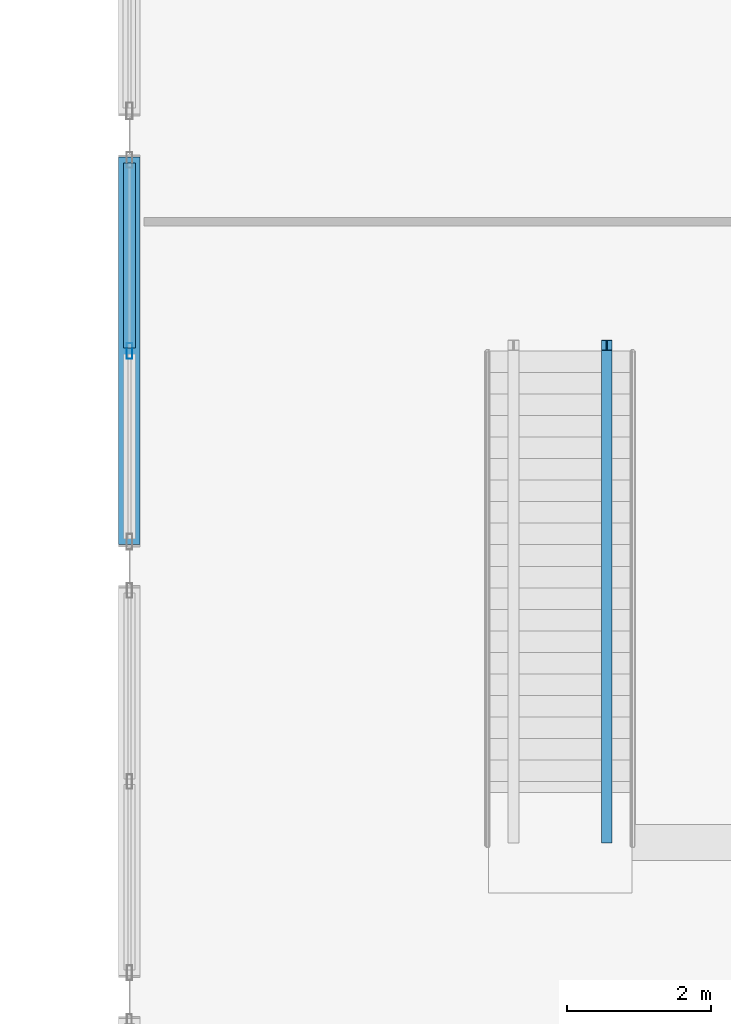
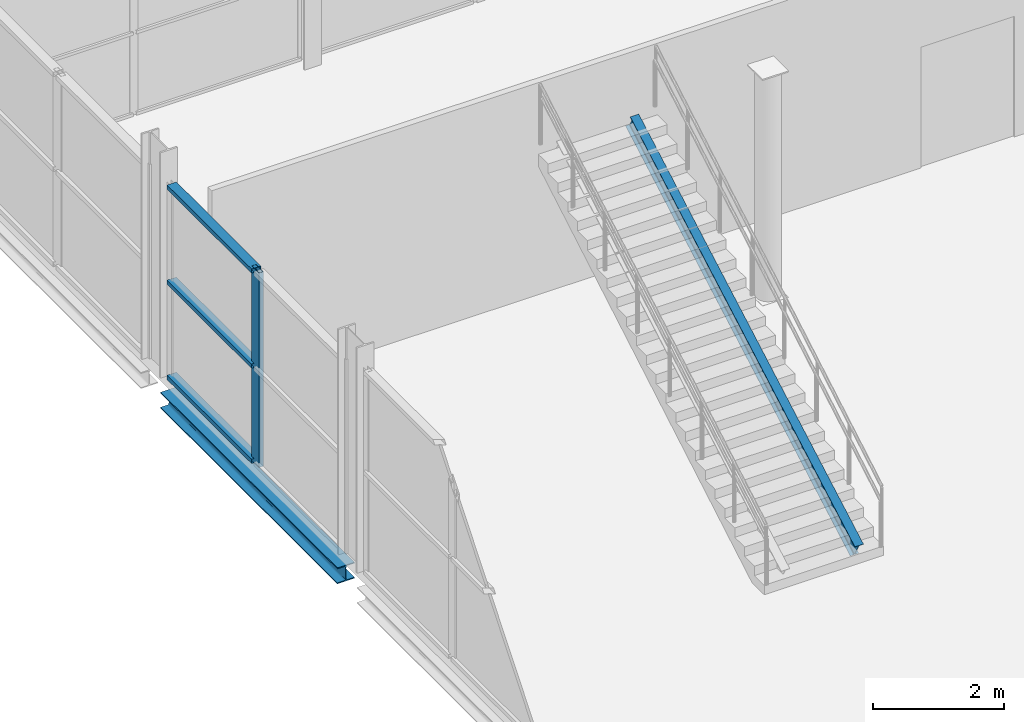
# One storey, part 29 of 140: 5 members, 1 beam, 1 element without a shape of its own.
"""IFC4 building model written with IfcOpenShell, lengths in metres."""

import ifcopenshell
import ifcopenshell.guid

model = None  # the IFC model being written
_history = None  # IfcOwnerHistory: only IFC2X3 demands one
_inside = {}  # id of a spatial element -> (the spatial element, [elements in it])
_under = {}  # id of a project, library or spatial element -> (it, [spatial elements below it])
_declared = {}  # id of a project -> (the project, [libraries it declares])
_typed = {}  # id of a type object -> (the type object, [elements of that type])
_made_of = {}  # id of a material, layer set ... -> (it, [elements and type objects made of it])


def new_model(schema):
    """Start an empty IFC model of exactly this schema.

    Asked for "IFC4X3", IfcOpenShell would pick the latest addendum, in which some entities
    have other attributes; the version numbers below select the first issue.
    IFC2X3 requires an IfcOwnerHistory on every rooted entity: one is made here for all.
    """
    global model, _history
    if schema == "IFC4X3":
        model = ifcopenshell.file(schema_version=(4, 3, 0, 0))
    else:
        model = ifcopenshell.file(schema=schema)
    _inside.clear()
    _under.clear()
    _declared.clear()
    _typed.clear()
    _made_of.clear()
    _history = None
    if model.schema == "IFC2X3":
        org = make("IfcOrganization", Name="unknown")
        user = make(
            "IfcPersonAndOrganization",
            ThePerson=make("IfcPerson", FamilyName="unknown"),
            TheOrganization=org,
        )
        app = make(
            "IfcApplication",
            ApplicationDeveloper=org,
            Version="unknown",
            ApplicationFullName="unknown",
            ApplicationIdentifier="unknown",
        )
        _history = make(
            "IfcOwnerHistory",
            OwningUser=user,
            OwningApplication=app,
            ChangeAction="ADDED",
            CreationDate=0,
        )
    return model


def make(cls, **values):
    """One entity of the class cls with the attributes given. An attribute that is None is left unset."""
    return model.create_entity(
        cls, **{name: value for name, value in values.items() if value is not None}
    )


def rooted(cls, **values):
    """An entity with a GlobalId (a new one), such as an element, a storey or a relation."""
    return make(cls, GlobalId=ifcopenshell.guid.new(), OwnerHistory=_history, **values)


def si_unit(unit_type, name, prefix=None):
    """IfcSIUnit, for example si_unit("LENGTHUNIT", "METRE", prefix="MILLI")."""
    return make("IfcSIUnit", UnitType=unit_type, Prefix=prefix, Name=name)


def assignment(units):
    """IfcUnitAssignment: the units of a project."""
    return None if units is None else make("IfcUnitAssignment", Units=units)


def point(xyz):
    """IfcCartesianPoint."""
    return None if xyz is None else make("IfcCartesianPoint", Coordinates=xyz)


def direction(xyz):
    """IfcDirection."""
    return None if xyz is None else make("IfcDirection", DirectionRatios=xyz)


def frame(location, z_axis=None, x_axis=None):
    """IfcAxis2Placement3D, a coordinate frame: its origin and axes. An axis left out is left unset."""
    return make(
        "IfcAxis2Placement3D",
        Location=point(location),
        Axis=direction(z_axis),
        RefDirection=direction(x_axis),
    )


def frame_2d(location, x_axis=None):
    """IfcAxis2Placement2D, a coordinate frame in the plane: its origin and x axis."""
    return make(
        "IfcAxis2Placement2D", Location=point(location), RefDirection=direction(x_axis)
    )


def origin():
    """The frame at (0, 0, 0) with its axes left unset."""
    return frame((0.0, 0.0, 0.0))


def origin_2d():
    """The frame at (0, 0) in the plane with its x axis left unset."""
    return frame_2d((0.0, 0.0))


def place(relative_to, where):
    """IfcLocalPlacement: puts the frame where relative to a parent placement (None: the world)."""
    return make(
        "IfcLocalPlacement", PlacementRelTo=relative_to, RelativePlacement=where
    )


def context(
    kind, dimensions, precision=None, world=None, true_north=None, identifier=None
):
    """IfcGeometricRepresentationContext, for example the 3D "Model" context."""
    return make(
        "IfcGeometricRepresentationContext",
        ContextIdentifier=identifier,
        ContextType=kind,
        CoordinateSpaceDimension=dimensions,
        Precision=precision,
        WorldCoordinateSystem=world,
        TrueNorth=true_north,
    )


def subcontext(parent, identifier, kind, view, scale=None):
    """IfcGeometricRepresentationSubContext, for example "Body" below "Model"."""
    return make(
        "IfcGeometricRepresentationSubContext",
        ContextIdentifier=identifier,
        ContextType=kind,
        ParentContext=parent,
        TargetScale=scale,
        TargetView=view,
    )


def project(units=None, contexts=None):
    """IfcProject with its units and contexts."""
    return rooted(
        "IfcProject",
        Name="project",
        RepresentationContexts=contexts,
        UnitsInContext=assignment(units),
    )


def spatial(cls, under=None, at=None, **own):
    """A site, building, storey or space (cls), placed at a placement, below another one or the project."""
    s = rooted(cls, ObjectPlacement=at, **own)
    if under is not None:
        _under.setdefault(under.id(), (under, []))[1].append(s)
    return s


def profile(cls, at=None, kind="AREA", **sizes):
    """A parametric profile (cls). Its sizes go by their IFC names, for example OverallWidth=200.0."""
    return make(cls, ProfileType=kind, Position=at, **sizes)


def hollow_rectangle(**sizes):
    """IfcRectangleHollowProfileDef."""
    return profile("IfcRectangleHollowProfileDef", **sizes)


def i_section(**sizes):
    """IfcIShapeProfileDef."""
    return profile("IfcIShapeProfileDef", **sizes)


def extrude(swept, where, along, depth):
    """IfcExtrudedAreaSolid: the profile swept, set in the frame where, extruded along a direction by depth."""
    return make(
        "IfcExtrudedAreaSolid",
        SweptArea=swept,
        Position=where,
        ExtrudedDirection=direction(along),
        Depth=depth,
    )


def shape(context_of_items, identifier, shape_type, items):
    """IfcShapeRepresentation: the items that make up one representation, for example the "Body"."""
    return make(
        "IfcShapeRepresentation",
        ContextOfItems=context_of_items,
        RepresentationIdentifier=identifier,
        RepresentationType=shape_type,
        Items=items,
    )


def material(Name=None, Category=None):
    """IfcMaterial."""
    return make("IfcMaterial", Name=Name, Category=Category)


def layer(
    of_material, thickness, ventilated=None, Name=None, Category=None, Priority=None
):
    """IfcMaterialLayer: one layer of a wall or slab, of a material (None: an air gap)."""
    return make(
        "IfcMaterialLayer",
        Material=of_material,
        LayerThickness=thickness,
        IsVentilated=ventilated,
        Name=Name,
        Category=Category,
        Priority=Priority,
    )


def layer_set(layers, Name=None):
    """IfcMaterialLayerSet."""
    return make("IfcMaterialLayerSet", MaterialLayers=layers, LayerSetName=Name)


def material_profile(
    of_material, cross_section, Name=None, Category=None, Priority=None
):
    """IfcMaterialProfile: a cross section and its material."""
    return make(
        "IfcMaterialProfile",
        Name=Name,
        Material=of_material,
        Profile=cross_section,
        Priority=Priority,
        Category=Category,
    )


def profile_set(profiles, Name=None, composite=None):
    """IfcMaterialProfileSet."""
    return make(
        "IfcMaterialProfileSet",
        Name=Name,
        MaterialProfiles=profiles,
        CompositeProfile=composite,
    )


def made_of(thing, what):
    """Note that an element or type object is made of a material, layer set ...; save() writes the relation."""
    if what is not None:
        _made_of.setdefault(what.id(), (what, []))[1].append(thing)
    return thing


def type_object(cls, material=None, **own):
    """A type object (cls), such as IfcWallType, which elements share."""
    return made_of(rooted(cls, **own), material)


def element(
    cls,
    number,
    at=None,
    inside=None,
    cuts=None,
    type_object=None,
    material=None,
    context=None,
    identifier="Body",
    shape_type=None,
    held_by="IfcProductDefinitionShape",
    body=None,
    shapes=None,
    **own,
):
    """One element of the class cls, such as IfcWall. Its Tag is "e" and its number.

    at: its placement. inside: the storey or other place that contains it. cuts: it is an
    opening in that element (IfcRelVoidsElement). A single representation is given by context,
    identifier, shape_type and body (its items); several are given by shapes. held_by: the class
    of the entity that holds the representations. save() writes the other relations.
    """
    e = rooted(cls, Tag="e%d" % number, ObjectPlacement=at, **own)
    if body is not None:
        shapes = [shape(context, identifier, shape_type, body)]
    if shapes is not None:
        e.Representation = make(held_by, Representations=shapes)
    if inside is not None:
        _inside.setdefault(inside.id(), (inside, []))[1].append(e)
    if cuts is not None:
        rooted(
            "IfcRelVoidsElement", RelatingBuildingElement=cuts, RelatedOpeningElement=e
        )
    if type_object is not None:
        _typed.setdefault(type_object.id(), (type_object, []))[1].append(e)
    return made_of(e, material)


def aggregate(whole, parts):
    """IfcRelAggregates: a whole, such as a stair, and the parts it consists of."""
    return rooted("IfcRelAggregates", RelatingObject=whole, RelatedObjects=parts)


def save(model, path):
    """Write the relations noted so far, then the file.

    IfcRelAggregates (storeys below a building ...), IfcRelContainedInSpatialStructure (elements
    in a storey), IfcRelDefinesByType, IfcRelAssociatesMaterial and IfcRelDeclares: one each for
    every whole, place, type object, material and project.
    """
    for whole, parts in _under.values():
        aggregate(whole, parts)
    for where, things in _inside.values():
        rooted(
            "IfcRelContainedInSpatialStructure",
            RelatedElements=things,
            RelatingStructure=where,
        )
    for kind, things in _typed.values():
        rooted("IfcRelDefinesByType", RelatedObjects=things, RelatingType=kind)
    for what, things in _made_of.values():
        rooted("IfcRelAssociatesMaterial", RelatedObjects=things, RelatingMaterial=what)
    for by, libraries in _declared.values():
        rooted("IfcRelDeclares", RelatingContext=by, RelatedDefinitions=libraries)
    model.write(path)


model = new_model("IFC4")

# Units and contexts
model_context = context("Model", 3, precision=1e-05, world=origin(), true_north=direction((0.0, 1.0)))
body_context = subcontext(model_context, "Body", "Model", "MODEL_VIEW")
ifc_project = project(units=[si_unit("LENGTHUNIT", "METRE"), si_unit("AREAUNIT", "SQUARE_METRE"), si_unit("VOLUMEUNIT", "CUBIC_METRE"), si_unit("PLANEANGLEUNIT", "RADIAN"), si_unit("MASSUNIT", "GRAM", prefix="KILO")], contexts=[model_context])

# Site, building, storey
site_placement = place(None, origin())
site = spatial("IfcSite", under=ifc_project, at=site_placement, CompositionType="ELEMENT")
building_placement = place(site_placement, origin())
building = spatial("IfcBuilding", under=site, at=building_placement, Name="Deido Ridge Mobility Hub", CompositionType="ELEMENT")
storey_placement = place(building_placement, origin())
storey = spatial("IfcBuildingStorey", under=building, at=storey_placement, Name="L00", CompositionType="ELEMENT", Elevation=0.0)

# Curtain wall, member
ifc_material_1 = material(Name="Anodised aluminium EN AW-6063 T6", Category="aluminium")
ifc_layer = layer(ifc_material_1, 0.27001953125, Name="Anodised aluminium EN AW-6063 T6")
ifc_layer_set = layer_set([ifc_layer], Name="Anodised aluminium EN AW-6063 T6")
curtain_wall_type = type_object("IfcCurtainWallType", Name="CW-UF-8", PredefinedType="USERDEFINED", material=ifc_layer_set)
curtain_wall_placement = place(storey_placement, origin())
curtain_wall = element("IfcCurtainWall", 1, at=curtain_wall_placement, inside=storey, type_object=curtain_wall_type, Name="Unitised curtain wall CW8", ObjectType="UNITISED FACADE", PredefinedType="USERDEFINED")
ifc_material_profile_1 = material_profile(ifc_material_1, hollow_rectangle(XDim=0.080078125, YDim=0.219970703125, WallThickness=0.00390625, at=origin_2d()), Name="RHS 80x220x4")
ifc_profile_set_1 = profile_set([ifc_material_profile_1], Name="Anodised aluminium EN AW-6063 T6")
member_type_1 = type_object("IfcMemberType", Name="MEM-MUL-80X220", PredefinedType="MULLION", material=ifc_profile_set_1)
member_1_placement = place(storey_placement, frame((0.0, 27.0, 0.0), z_axis=(0.0, 0.0, 1.0), x_axis=(-1.0, 0.0, 0.0)))
member_1 = element("IfcMember", 2, at=member_1_placement, type_object=member_type_1, Name="CW8 mullion 2", PredefinedType="MULLION", context=body_context, shape_type="SweptSolid", body=[
    extrude(hollow_rectangle(XDim=0.080078125, YDim=0.219970703125, WallThickness=0.00390625, at=origin_2d()), origin(), (0.0, 0.0, 1.0), 3.625),
])

# Member
ifc_material_2 = material(Name="Steel S355J2 EN 10025-2", Category="steel")
ifc_material_profile_2 = material_profile(ifc_material_2, i_section(OverallWidth=0.14990234375, OverallDepth=0.300048828125, WebThickness=0.007080078125, FlangeThickness=0.0107421875, FilletRadius=0.014892578125, at=origin_2d()), Name="IPE 300")
ifc_profile_set_2 = profile_set([ifc_material_profile_2], Name="Steel S355J2 EN 10025-2")
member_type_2 = type_object("IfcMemberType", Name="MEM-STG-IPE300", PredefinedType="STRINGER", material=ifc_profile_set_2)
member_2_placement = place(storey_placement, frame((6.64990234375, 20.219970703125, 0.1650390625), z_axis=(0.0, 0.871783430325, 0.489891468196), x_axis=(-1.0, 0.0, 0.0)))
element("IfcMember", 3, at=member_2_placement, inside=storey, type_object=member_type_2, Name="Concourse stair steel stringer SG1", PredefinedType="STRINGER", context=body_context, shape_type="SweptSolid", body=[
    extrude(i_section(OverallWidth=0.14990234375, OverallDepth=0.300048828125, WebThickness=0.007080078125, FlangeThickness=0.0107421875, FilletRadius=0.014892578125, at=origin_2d()), origin(), (0.0, 0.0, 1.0), 7.869140625),
])

ifc_material_profile_3 = material_profile(ifc_material_1, hollow_rectangle(XDim=0.1650390625, YDim=0.080078125, WallThickness=0.00390625, at=origin_2d()), Name="RHS 165x80x4")
ifc_profile_set_3 = profile_set([ifc_material_profile_3], Name="Anodised aluminium EN AW-6063 T6")
member_type_3 = type_object("IfcMemberType", Name="MEM-TRN-165X80", PredefinedType="USERDEFINED", material=ifc_profile_set_3)
member_3_placement = place(storey_placement, frame((0.0, 27.0400390625, 0.0400390625), z_axis=(0.0, 1.0, 0.0), x_axis=(-1.0, 0.0, 0.0)))
member_3 = element("IfcMember", 4, at=member_3_placement, type_object=member_type_3, Name="CW8 transom 2.1", ObjectType="TRANSOM", PredefinedType="USERDEFINED", context=body_context, shape_type="SweptSolid", body=[
    extrude(hollow_rectangle(XDim=0.1650390625, YDim=0.080078125, WallThickness=0.00390625, at=origin_2d()), origin(), (0.0, 0.0, 1.0), 2.580078125),
])

member_4_placement = place(storey_placement, frame((0.0, 27.0400390625, 1.8125), z_axis=(0.0, 1.0, 0.0), x_axis=(-1.0, 0.0, 0.0)))
member_4 = element("IfcMember", 5, at=member_4_placement, type_object=member_type_3, Name="CW8 transom 2.2", ObjectType="TRANSOM", PredefinedType="USERDEFINED", context=body_context, shape_type="SweptSolid", body=[
    extrude(hollow_rectangle(XDim=0.1650390625, YDim=0.080078125, WallThickness=0.00390625, at=origin_2d()), origin(), (0.0, 0.0, 1.0), 2.580078125),
])

member_5_placement = place(storey_placement, frame((0.0, 27.0400390625, 3.5849609375), z_axis=(0.0, 1.0, 0.0), x_axis=(-1.0, 0.0, 0.0)))
member_5 = element("IfcMember", 6, at=member_5_placement, type_object=member_type_3, Name="CW8 transom 2.3", ObjectType="TRANSOM", PredefinedType="USERDEFINED", context=body_context, shape_type="SweptSolid", body=[
    extrude(hollow_rectangle(XDim=0.1650390625, YDim=0.080078125, WallThickness=0.00390625, at=origin_2d()), origin(), (0.0, 0.0, 1.0), 2.580078125),
])

aggregate(curtain_wall, [member_1, member_3, member_4, member_5])

# Beam
ifc_material_profile_4 = material_profile(ifc_material_2, i_section(OverallWidth=0.300048828125, OverallDepth=0.300048828125, WebThickness=0.010986328125, FlangeThickness=0.01904296875, FilletRadius=0.027099609375, at=origin_2d()), Name="HEB 300")
ifc_profile_set_4 = profile_set([ifc_material_profile_4], Name="Steel S355J2 EN 10025-2")
beam_type = type_object("IfcBeamType", Name="SPD-HEB300", PredefinedType="SPANDREL", material=ifc_profile_set_4)
beam_placement = place(storey_placement, frame((0.0, 24.300048828125, -0.409912109375), z_axis=(0.0, 1.0, 0.0), x_axis=(-1.0, 0.0, 0.0)))
element("IfcBeam", 7, at=beam_placement, inside=storey, type_object=beam_type, Name="Floor beam SP1", PredefinedType="SPANDREL", context=body_context, shape_type="SweptSolid", body=[
    extrude(i_section(OverallWidth=0.300048828125, OverallDepth=0.300048828125, WebThickness=0.010986328125, FlangeThickness=0.01904296875, FilletRadius=0.027099609375, at=origin_2d()), origin(), (0.0, 0.0, 1.0), 5.39990234375),
])

save(model, "model.ifc")
